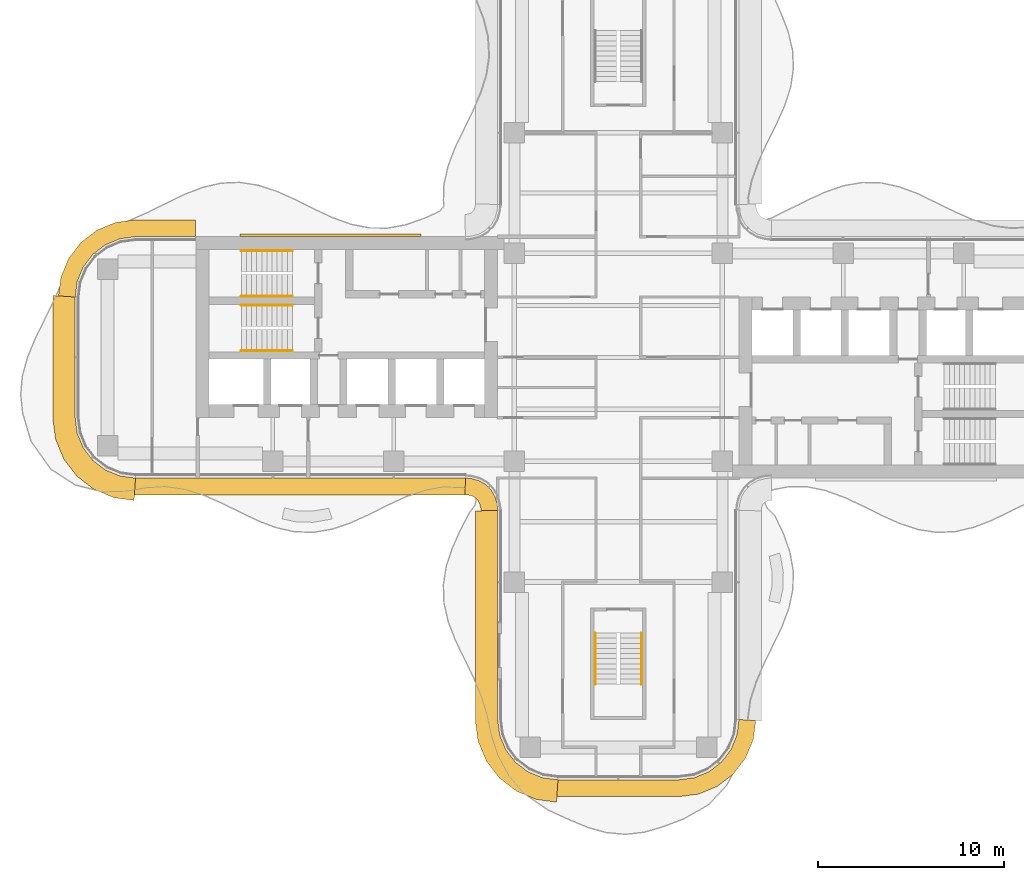
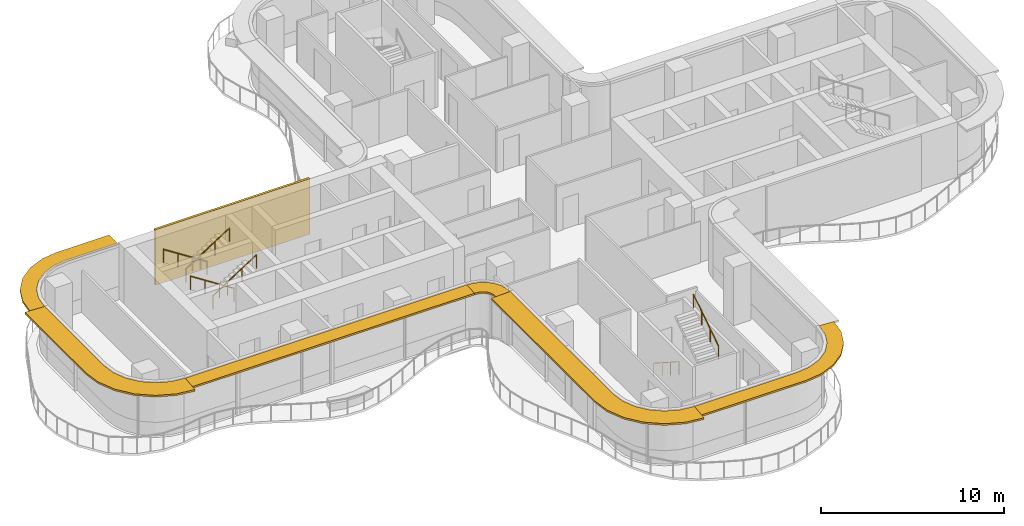
# One storey, part 15 of 16: 6 railings, 6 shading devices, 1 covering.
"""IFC4 building model written with IfcOpenShell, lengths in metres."""

from ifc_helpers import new_model, si_unit, direction, frame, origin, origin_2d, place, context, subcontext, project, spatial, polyline, circle, outline, extrude, source, transform, mapped, material, layer, layer_set, type_object, element, save


model = new_model("IFC4")

# Units and contexts
model_context = context("Model", 3, precision=1e-05, world=origin(), true_north=direction((0.0, 1.0)))
body_context = subcontext(model_context, "Body", "Model", "MODEL_VIEW")
ifc_project = project(units=[si_unit("LENGTHUNIT", "METRE"), si_unit("AREAUNIT", "SQUARE_METRE"), si_unit("VOLUMEUNIT", "CUBIC_METRE"), si_unit("PLANEANGLEUNIT", "RADIAN"), si_unit("MASSUNIT", "GRAM", prefix="KILO")], contexts=[model_context])

# Site, building, storey
site_placement = place(None, origin())
site = spatial("IfcSite", under=ifc_project, at=site_placement, CompositionType="ELEMENT")
building_placement = place(site_placement, origin())
building = spatial("IfcBuilding", under=site, at=building_placement, Name="Trellis Farm Tower", CompositionType="ELEMENT")
storey_placement = place(building_placement, frame((0.0, 0.0, 248.0)))
storey = spatial("IfcBuildingStorey", under=building, at=storey_placement, Name="L55", CompositionType="ELEMENT", Elevation=248.0)

# Railings
ifc_material_1 = material(Name="Stainless steel", Category="steel")
railing_type = type_object("IfcRailingType", Name="STAIR HANDRAIL 900", PredefinedType="HANDRAIL", material=ifc_material_1)
shared_shape_1 = source(origin(), body_context, "Body", "SweptSolid", [
    extrude(circle(Radius=0.02392578125, at=origin_2d()), frame((0.0, 0.0, 0.8759765625), z_axis=(0.0, 0.840503830235, 0.541805602924), x_axis=(-1.0, 0.0, 0.0)), (0.0, 0.0, 1.0), 3.271728515625),
    extrude(circle(Radius=0.02099609375, at=origin_2d()), origin(), (0.0, 0.0, 1.0), 0.851806640625),
    extrude(circle(Radius=0.02099609375, at=origin_2d()), frame((0.0, 0.916748046875, 0.5908203125)), (0.0, 0.0, 1.0), 0.851806640625),
    extrude(circle(Radius=0.02099609375, at=origin_2d()), frame((0.0, 1.833251953125, 1.181884765625)), (0.0, 0.0, 1.0), 0.851806640625),
    extrude(circle(Radius=0.02099609375, at=origin_2d()), frame((0.0, 2.75, 1.772705078125)), (0.0, 0.0, 1.0), 0.851806640625),
])
railing_1_placement = place(storey_placement, frame((1.25, -17.60009765625, 2.127197265625)))
element("IfcRailing", 1, at=railing_1_placement, inside=storey, type_object=railing_type, Name="Stair handrail", PredefinedType="HANDRAIL", context=body_context, shape_type="MappedRepresentation", body=[
    mapped(shared_shape_1, transform((0.0, 0.0, 0.0))),
])
shared_shape_2 = source(origin(), body_context, "Body", "SweptSolid", [
    extrude(circle(Radius=0.02392578125, at=origin_2d()), frame((0.0, 0.0, 0.8759765625), z_axis=(0.0, -0.840503830235, 0.541805602924), x_axis=(1.0, 0.0, 0.0)), (0.0, 0.0, 1.0), 3.271728515625),
    extrude(circle(Radius=0.02099609375, at=origin_2d()), origin(), (0.0, 0.0, 1.0), 0.851806640625),
    extrude(circle(Radius=0.02099609375, at=origin_2d()), frame((0.0, -0.916748046875, 0.5908203125)), (0.0, 0.0, 1.0), 0.851806640625),
    extrude(circle(Radius=0.02099609375, at=origin_2d()), frame((0.0, -1.833251953125, 1.181884765625)), (0.0, 0.0, 1.0), 0.851806640625),
    extrude(circle(Radius=0.02099609375, at=origin_2d()), frame((0.0, -2.75, 1.772705078125)), (0.0, 0.0, 1.0), 0.851806640625),
])
railing_2_placement = place(storey_placement, frame((-1.25, -14.85009765625, 0.17724609375)))
element("IfcRailing", 2, at=railing_2_placement, inside=storey, type_object=railing_type, Name="Stair handrail", PredefinedType="HANDRAIL", context=body_context, shape_type="MappedRepresentation", body=[
    mapped(shared_shape_2, transform((0.0, 0.0, 0.0))),
])
shared_shape_3 = source(origin(), body_context, "Body", "SweptSolid", [
    extrude(circle(Radius=0.02392578125, at=origin_2d()), frame((0.0, 0.0, 0.8759765625), z_axis=(0.840503830235, 0.0, 0.541805602924), x_axis=(0.0, 1.0, 0.0)), (0.0, 0.0, 1.0), 3.271728515625),
    extrude(circle(Radius=0.02099609375, at=origin_2d()), origin(), (0.0, 0.0, 1.0), 0.851806640625),
    extrude(circle(Radius=0.02099609375, at=origin_2d()), frame((0.916748046875, 0.0, 0.5908203125)), (0.0, 0.0, 1.0), 0.851806640625),
    extrude(circle(Radius=0.02099609375, at=origin_2d()), frame((1.833251953125, 0.0, 1.181884765625)), (0.0, 0.0, 1.0), 0.851806640625),
    extrude(circle(Radius=0.02099609375, at=origin_2d()), frame((2.75, 0.0, 1.772705078125)), (0.0, 0.0, 1.0), 0.851806640625),
])
for number, where, name in (
    (3, (-20.300048828125, 3.300048828125, 2.127197265625), "Stair handrail"),
    (4, (-20.300048828125, 0.35009765625, 2.127197265625), "Stair handrail"),
):
    element("IfcRailing", number, at=place(storey_placement, frame(where)), inside=storey, type_object=railing_type, Name=name, PredefinedType="HANDRAIL", context=body_context, shape_type="MappedRepresentation", body=[
        mapped(shared_shape_3, transform((0.0, 0.0, 0.0))),
    ])
shared_shape_4 = source(origin(), body_context, "Body", "SweptSolid", [
    extrude(circle(Radius=0.02392578125, at=origin_2d()), frame((0.0, 0.0, 0.8759765625), z_axis=(-0.840503830235, 0.0, 0.541805602924), x_axis=(0.0, -1.0, 0.0)), (0.0, 0.0, 1.0), 3.271728515625),
    extrude(circle(Radius=0.02099609375, at=origin_2d()), origin(), (0.0, 0.0, 1.0), 0.851806640625),
    extrude(circle(Radius=0.02099609375, at=origin_2d()), frame((-0.916748046875, 0.0, 0.5908203125)), (0.0, 0.0, 1.0), 0.851806640625),
    extrude(circle(Radius=0.02099609375, at=origin_2d()), frame((-1.833251953125, 0.0, 1.181884765625)), (0.0, 0.0, 1.0), 0.851806640625),
    extrude(circle(Radius=0.02099609375, at=origin_2d()), frame((-2.75, 0.0, 1.772705078125)), (0.0, 0.0, 1.0), 0.851806640625),
])
for number, where, name in (
    (5, (-17.550048828125, 5.75, 0.17724609375), "Stair handrail"),
    (6, (-17.550048828125, 2.800048828125, 0.17724609375), "Stair handrail"),
):
    element("IfcRailing", number, at=place(storey_placement, frame(where)), inside=storey, type_object=railing_type, Name=name, PredefinedType="HANDRAIL", context=body_context, shape_type="MappedRepresentation", body=[
        mapped(shared_shape_4, transform((0.0, 0.0, 0.0))),
    ])

# Shading devices
ifc_material_2 = material(Name="Aluminium extrusion 6063-T6", Category="aluminium")
ifc_layer_1 = layer(ifc_material_2, 0.1201171875)
ifc_layer_set_1 = layer_set([ifc_layer_1], Name="SUNSHADE BLADE 900")
shading_device_type_1 = type_object("IfcShadingDeviceType", Name="SUNSHADE BLADE 900", PredefinedType="USERDEFINED", material=ifc_layer_set_1)
shared_shape_5 = source(origin(), body_context, "Body", "SweptSolid", [
    extrude(outline(polyline([(-8.2607421875, -7.39990234375), (-8.107666015625, -7.409912109375), (-8.091552734375, -7.412109375), (-7.85595703125, -7.475341796875), (-7.697021484375, -7.567138671875), (-7.567138671875, -7.697021484375), (-7.475341796875, -7.85595703125), (-7.412109375, -8.091552734375), (-7.409912109375, -8.107666015625), (-7.39990234375, -8.2607421875), (-6.5, -8.2314453125), (-6.513916015625, -8.01953125), (-6.527587890625, -7.91552734375), (-6.63671875, -7.508544921875), (-6.846923828125, -7.144287109375), (-7.144287109375, -6.846923828125), (-7.508544921875, -6.63671875), (-7.91552734375, -6.527587890625), (-8.01953125, -6.513916015625), (-8.2314453125, -6.5), (-8.2607421875, -7.39990234375)])), origin(), (0.0, 0.0, 1.0), 0.119873046875),
])
placement = place(storey_placement, frame((0.0, 0.0, 3.5400390625)))
element("IfcShadingDevice", 7, at=placement, inside=storey, type_object=shading_device_type_1, Name="SD1 002", ObjectType="SUNSHADE", PredefinedType="USERDEFINED", context=body_context, shape_type="MappedRepresentation", body=[
    mapped(shared_shape_5, transform((0.0, 0.0, 0.0))),
])
shared_shape_6 = source(origin(), body_context, "Body", "SweptSolid", [
    extrude(outline(polyline([(-26.05908203125, -7.39990234375), (-8.2607421875, -7.39990234375), (-8.2314453125, -6.5), (-26.0, -6.5), (-26.05908203125, -7.39990234375)])), origin(), (0.0, 0.0, 1.0), 0.119873046875),
])
element("IfcShadingDevice", 8, at=placement, inside=storey, type_object=shading_device_type_1, Name="SD1 001", ObjectType="SUNSHADE", PredefinedType="USERDEFINED", context=body_context, shape_type="MappedRepresentation", body=[
    mapped(shared_shape_6, transform((0.0, 0.0, 0.0))),
])
shared_shape_7 = source(origin(), body_context, "Body", "SweptSolid", [
    extrude(outline(polyline([(-22.780029296875, 7.39990234375), (-26.05908203125, 7.39990234375), (-27.076171875, 7.26611328125), (-28.078857421875, 6.850830078125), (-28.93994140625, 6.18994140625), (-29.600830078125, 5.328857421875), (-30.01611328125, 4.326171875), (-30.14990234375, 3.30908203125), (-29.25, 3.25), (-29.13916015625, 4.091064453125), (-28.814697265625, 4.875), (-28.298095703125, 5.548095703125), (-27.625, 6.064697265625), (-26.841064453125, 6.38916015625), (-26.0, 6.5), (-22.780029296875, 6.5), (-22.780029296875, 7.39990234375)])), origin(), (0.0, 0.0, 1.0), 0.119873046875),
])
element("IfcShadingDevice", 9, at=placement, inside=storey, type_object=shading_device_type_1, Name="SD1 015", ObjectType="SUNSHADE", PredefinedType="USERDEFINED", context=body_context, shape_type="MappedRepresentation", body=[
    mapped(shared_shape_7, transform((0.0, 0.0, 0.0))),
])
ifc_layer_2 = layer(ifc_material_2, 0.1201171875)
ifc_layer_set_2 = layer_set([ifc_layer_2], Name="SUNSHADE BLADE 1200")
shading_device_type_2 = type_object("IfcShadingDeviceType", Name="SUNSHADE BLADE 1200", PredefinedType="USERDEFINED", material=ifc_layer_set_2)
shared_shape_8 = source(origin(), body_context, "Body", "SweptSolid", [
    extrude(outline(polyline([(-30.449951171875, 3.32861328125), (-30.449951171875, -3.32861328125), (-30.308349609375, -4.404541015625), (-29.86279296875, -5.480224609375), (-29.154052734375, -6.404052734375), (-28.230224609375, -7.11279296875), (-27.154541015625, -7.558349609375), (-26.07861328125, -7.699951171875), (-26.0, -6.5), (-26.841064453125, -6.38916015625), (-27.625, -6.064697265625), (-28.298095703125, -5.548095703125), (-28.814697265625, -4.875), (-29.13916015625, -4.091064453125), (-29.25, -3.25), (-29.25, 3.25), (-30.449951171875, 3.32861328125)])), origin(), (0.0, 0.0, 1.0), 0.119873046875),
])
element("IfcShadingDevice", 10, at=placement, inside=storey, type_object=shading_device_type_2, Name="SD2 016", ObjectType="SUNSHADE", PredefinedType="USERDEFINED", context=body_context, shape_type="MappedRepresentation", body=[
    mapped(shared_shape_8, transform((0.0, 0.0, 0.0))),
])

# Covering
ifc_material_3 = material(Name="Perforated precast screen (cobogo)", Category="concrete")
ifc_layer_3 = layer(ifc_material_3, 0.14990234375)
ifc_layer_set_3 = layer_set([ifc_layer_3], Name="COBOGO SCREEN PANEL")
covering_type = type_object("IfcCoveringType", Name="COBOGO SCREEN PANEL", PredefinedType="USERDEFINED", material=ifc_layer_set_3)
shared_shape_9 = source(origin(), body_context, "Body", "SweptSolid", [
    extrude(outline(polyline([(-10.630615234375, 6.64990234375), (-20.380615234375, 6.64990234375), (-20.380615234375, 6.5), (-10.630615234375, 6.5), (-10.630615234375, 6.64990234375)])), origin(), (0.0, 0.0, 1.0), 3.699951171875),
])
covering_placement = place(storey_placement, origin())
element("IfcCovering", 11, at=covering_placement, inside=storey, type_object=covering_type, Name="SC1 02", ObjectType="SCREEN", PredefinedType="USERDEFINED", context=body_context, shape_type="MappedRepresentation", body=[
    mapped(shared_shape_9, transform((0.0, 0.0, 0.0))),
])

# Shading devices
shared_shape_10 = source(origin(), body_context, "Body", "SweptSolid", [
    extrude(outline(polyline([(-7.699951171875, -8.270751953125), (-7.699951171875, -19.57861328125), (-7.558349609375, -20.654541015625), (-7.11279296875, -21.730224609375), (-6.404052734375, -22.654052734375), (-5.480224609375, -23.36279296875), (-4.404541015625, -23.808349609375), (-3.32861328125, -23.949951171875), (-3.25, -22.75), (-4.091064453125, -22.63916015625), (-4.875, -22.314697265625), (-5.548095703125, -21.798095703125), (-6.064697265625, -21.125), (-6.38916015625, -20.341064453125), (-6.5, -19.5), (-6.5, -8.2314453125), (-7.699951171875, -8.270751953125)])), origin(), (0.0, 0.0, 1.0), 0.119873046875),
])
element("IfcShadingDevice", 12, at=placement, inside=storey, type_object=shading_device_type_2, Name="SD2 003", ObjectType="SUNSHADE", PredefinedType="USERDEFINED", context=body_context, shape_type="MappedRepresentation", body=[
    mapped(shared_shape_10, transform((0.0, 0.0, 0.0))),
])
shared_shape_11 = source(origin(), body_context, "Body", "SweptSolid", [
    extrude(outline(polyline([(-3.30908203125, -23.64990234375), (3.30908203125, -23.64990234375), (4.326171875, -23.51611328125), (5.328857421875, -23.100830078125), (6.18994140625, -22.43994140625), (6.850830078125, -21.578857421875), (7.26611328125, -20.576171875), (7.39990234375, -19.55908203125), (6.5, -19.5), (6.38916015625, -20.341064453125), (6.064697265625, -21.125), (5.548095703125, -21.798095703125), (4.875, -22.314697265625), (4.091064453125, -22.63916015625), (3.25, -22.75), (-3.25, -22.75), (-3.30908203125, -23.64990234375)])), origin(), (0.0, 0.0, 1.0), 0.119873046875),
])
element("IfcShadingDevice", 13, at=placement, inside=storey, type_object=shading_device_type_1, Name="SD1 004", ObjectType="SUNSHADE", PredefinedType="USERDEFINED", context=body_context, shape_type="MappedRepresentation", body=[
    mapped(shared_shape_11, transform((0.0, 0.0, 0.0))),
])

save(model, "model.ifc")
